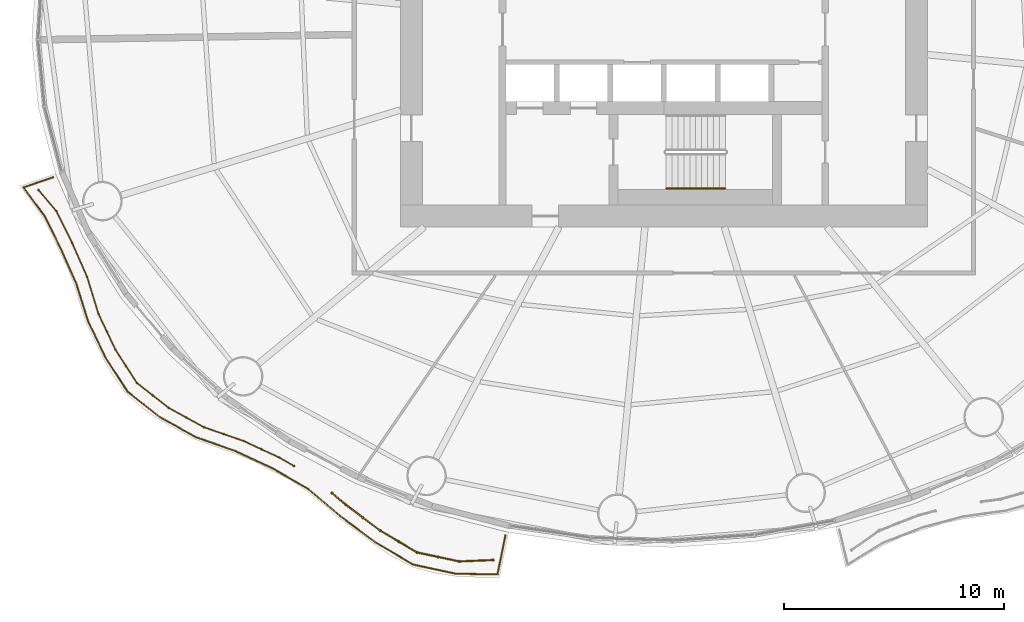
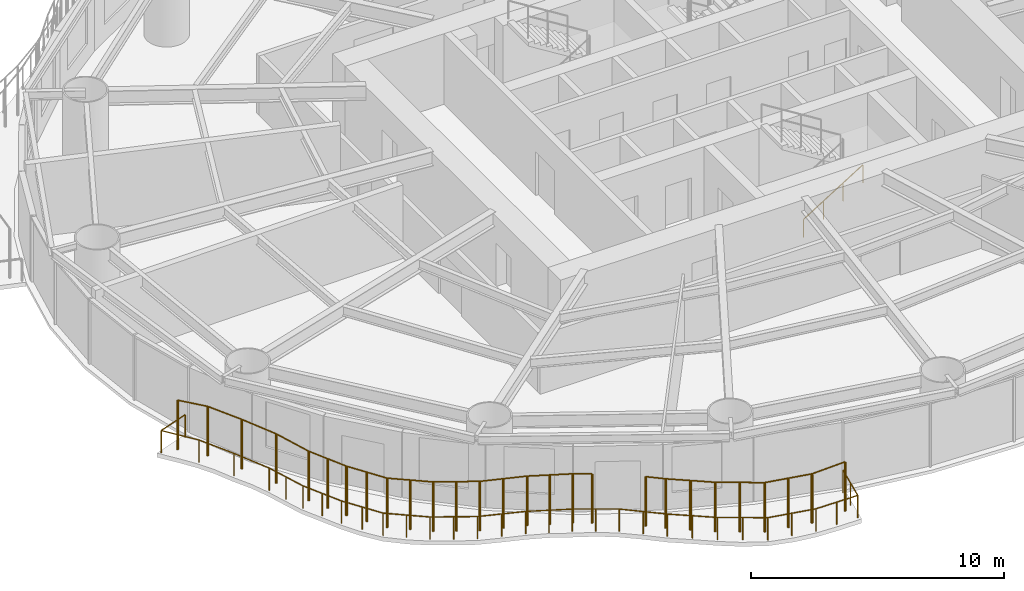
# One storey, part 12 of 17: 4 railings.
"""IFC4 building model written with IfcOpenShell, lengths in metres."""

import ifcopenshell
import ifcopenshell.guid

model = None  # the IFC model being written
_history = None  # IfcOwnerHistory: only IFC2X3 demands one
_inside = {}  # id of a spatial element -> (the spatial element, [elements in it])
_under = {}  # id of a project, library or spatial element -> (it, [spatial elements below it])
_declared = {}  # id of a project -> (the project, [libraries it declares])
_typed = {}  # id of a type object -> (the type object, [elements of that type])
_made_of = {}  # id of a material, layer set ... -> (it, [elements and type objects made of it])


def new_model(schema):
    """Start an empty IFC model of exactly this schema.

    Asked for "IFC4X3", IfcOpenShell would pick the latest addendum, in which some entities
    have other attributes; the version numbers below select the first issue.
    IFC2X3 requires an IfcOwnerHistory on every rooted entity: one is made here for all.
    """
    global model, _history
    if schema == "IFC4X3":
        model = ifcopenshell.file(schema_version=(4, 3, 0, 0))
    else:
        model = ifcopenshell.file(schema=schema)
    _inside.clear()
    _under.clear()
    _declared.clear()
    _typed.clear()
    _made_of.clear()
    _history = None
    if model.schema == "IFC2X3":
        org = make("IfcOrganization", Name="unknown")
        user = make(
            "IfcPersonAndOrganization",
            ThePerson=make("IfcPerson", FamilyName="unknown"),
            TheOrganization=org,
        )
        app = make(
            "IfcApplication",
            ApplicationDeveloper=org,
            Version="unknown",
            ApplicationFullName="unknown",
            ApplicationIdentifier="unknown",
        )
        _history = make(
            "IfcOwnerHistory",
            OwningUser=user,
            OwningApplication=app,
            ChangeAction="ADDED",
            CreationDate=0,
        )
    return model


def make(cls, **values):
    """One entity of the class cls with the attributes given. An attribute that is None is left unset."""
    return model.create_entity(
        cls, **{name: value for name, value in values.items() if value is not None}
    )


def rooted(cls, **values):
    """An entity with a GlobalId (a new one), such as an element, a storey or a relation."""
    return make(cls, GlobalId=ifcopenshell.guid.new(), OwnerHistory=_history, **values)


def si_unit(unit_type, name, prefix=None):
    """IfcSIUnit, for example si_unit("LENGTHUNIT", "METRE", prefix="MILLI")."""
    return make("IfcSIUnit", UnitType=unit_type, Prefix=prefix, Name=name)


def assignment(units):
    """IfcUnitAssignment: the units of a project."""
    return None if units is None else make("IfcUnitAssignment", Units=units)


def point(xyz):
    """IfcCartesianPoint."""
    return None if xyz is None else make("IfcCartesianPoint", Coordinates=xyz)


def direction(xyz):
    """IfcDirection."""
    return None if xyz is None else make("IfcDirection", DirectionRatios=xyz)


def frame(location, z_axis=None, x_axis=None):
    """IfcAxis2Placement3D, a coordinate frame: its origin and axes. An axis left out is left unset."""
    return make(
        "IfcAxis2Placement3D",
        Location=point(location),
        Axis=direction(z_axis),
        RefDirection=direction(x_axis),
    )


def frame_2d(location, x_axis=None):
    """IfcAxis2Placement2D, a coordinate frame in the plane: its origin and x axis."""
    return make(
        "IfcAxis2Placement2D", Location=point(location), RefDirection=direction(x_axis)
    )


def origin():
    """The frame at (0, 0, 0) with its axes left unset."""
    return frame((0.0, 0.0, 0.0))


def origin_2d():
    """The frame at (0, 0) in the plane with its x axis left unset."""
    return frame_2d((0.0, 0.0))


def place(relative_to, where):
    """IfcLocalPlacement: puts the frame where relative to a parent placement (None: the world)."""
    return make(
        "IfcLocalPlacement", PlacementRelTo=relative_to, RelativePlacement=where
    )


def context(
    kind, dimensions, precision=None, world=None, true_north=None, identifier=None
):
    """IfcGeometricRepresentationContext, for example the 3D "Model" context."""
    return make(
        "IfcGeometricRepresentationContext",
        ContextIdentifier=identifier,
        ContextType=kind,
        CoordinateSpaceDimension=dimensions,
        Precision=precision,
        WorldCoordinateSystem=world,
        TrueNorth=true_north,
    )


def subcontext(parent, identifier, kind, view, scale=None):
    """IfcGeometricRepresentationSubContext, for example "Body" below "Model"."""
    return make(
        "IfcGeometricRepresentationSubContext",
        ContextIdentifier=identifier,
        ContextType=kind,
        ParentContext=parent,
        TargetScale=scale,
        TargetView=view,
    )


def project(units=None, contexts=None):
    """IfcProject with its units and contexts."""
    return rooted(
        "IfcProject",
        Name="project",
        RepresentationContexts=contexts,
        UnitsInContext=assignment(units),
    )


def spatial(cls, under=None, at=None, **own):
    """A site, building, storey or space (cls), placed at a placement, below another one or the project."""
    s = rooted(cls, ObjectPlacement=at, **own)
    if under is not None:
        _under.setdefault(under.id(), (under, []))[1].append(s)
    return s


def profile(cls, at=None, kind="AREA", **sizes):
    """A parametric profile (cls). Its sizes go by their IFC names, for example OverallWidth=200.0."""
    return make(cls, ProfileType=kind, Position=at, **sizes)


def circle(**sizes):
    """IfcCircleProfileDef."""
    return profile("IfcCircleProfileDef", **sizes)


def extrude(swept, where, along, depth):
    """IfcExtrudedAreaSolid: the profile swept, set in the frame where, extruded along a direction by depth."""
    return make(
        "IfcExtrudedAreaSolid",
        SweptArea=swept,
        Position=where,
        ExtrudedDirection=direction(along),
        Depth=depth,
    )


def shape(context_of_items, identifier, shape_type, items):
    """IfcShapeRepresentation: the items that make up one representation, for example the "Body"."""
    return make(
        "IfcShapeRepresentation",
        ContextOfItems=context_of_items,
        RepresentationIdentifier=identifier,
        RepresentationType=shape_type,
        Items=items,
    )


def material(Name=None, Category=None):
    """IfcMaterial."""
    return make("IfcMaterial", Name=Name, Category=Category)


def made_of(thing, what):
    """Note that an element or type object is made of a material, layer set ...; save() writes the relation."""
    if what is not None:
        _made_of.setdefault(what.id(), (what, []))[1].append(thing)
    return thing


def type_object(cls, material=None, **own):
    """A type object (cls), such as IfcWallType, which elements share."""
    return made_of(rooted(cls, **own), material)


def element(
    cls,
    number,
    at=None,
    inside=None,
    cuts=None,
    type_object=None,
    material=None,
    context=None,
    identifier="Body",
    shape_type=None,
    held_by="IfcProductDefinitionShape",
    body=None,
    shapes=None,
    **own,
):
    """One element of the class cls, such as IfcWall. Its Tag is "e" and its number.

    at: its placement. inside: the storey or other place that contains it. cuts: it is an
    opening in that element (IfcRelVoidsElement). A single representation is given by context,
    identifier, shape_type and body (its items); several are given by shapes. held_by: the class
    of the entity that holds the representations. save() writes the other relations.
    """
    e = rooted(cls, Tag="e%d" % number, ObjectPlacement=at, **own)
    if body is not None:
        shapes = [shape(context, identifier, shape_type, body)]
    if shapes is not None:
        e.Representation = make(held_by, Representations=shapes)
    if inside is not None:
        _inside.setdefault(inside.id(), (inside, []))[1].append(e)
    if cuts is not None:
        rooted(
            "IfcRelVoidsElement", RelatingBuildingElement=cuts, RelatedOpeningElement=e
        )
    if type_object is not None:
        _typed.setdefault(type_object.id(), (type_object, []))[1].append(e)
    return made_of(e, material)


def aggregate(whole, parts):
    """IfcRelAggregates: a whole, such as a stair, and the parts it consists of."""
    return rooted("IfcRelAggregates", RelatingObject=whole, RelatedObjects=parts)


def save(model, path):
    """Write the relations noted so far, then the file.

    IfcRelAggregates (storeys below a building ...), IfcRelContainedInSpatialStructure (elements
    in a storey), IfcRelDefinesByType, IfcRelAssociatesMaterial and IfcRelDeclares: one each for
    every whole, place, type object, material and project.
    """
    for whole, parts in _under.values():
        aggregate(whole, parts)
    for where, things in _inside.values():
        rooted(
            "IfcRelContainedInSpatialStructure",
            RelatedElements=things,
            RelatingStructure=where,
        )
    for kind, things in _typed.values():
        rooted("IfcRelDefinesByType", RelatedObjects=things, RelatingType=kind)
    for what, things in _made_of.values():
        rooted("IfcRelAssociatesMaterial", RelatedObjects=things, RelatingMaterial=what)
    for by, libraries in _declared.values():
        rooted("IfcRelDeclares", RelatingContext=by, RelatedDefinitions=libraries)
    model.write(path)


model = new_model("IFC4")

# Units and contexts
model_context = context("Model", 3, precision=1e-05, world=origin(), true_north=direction((0.0, 1.0)))
body_context = subcontext(model_context, "Body", "Model", "MODEL_VIEW")
ifc_project = project(units=[si_unit("LENGTHUNIT", "METRE"), si_unit("AREAUNIT", "SQUARE_METRE"), si_unit("VOLUMEUNIT", "CUBIC_METRE"), si_unit("PLANEANGLEUNIT", "RADIAN"), si_unit("MASSUNIT", "GRAM", prefix="KILO")], contexts=[model_context])

# Site, building, storey
site_placement = place(None, origin())
site = spatial("IfcSite", under=ifc_project, at=site_placement, CompositionType="ELEMENT")
building_placement = place(site_placement, origin())
building = spatial("IfcBuilding", under=site, at=building_placement, Name="Vermilion Reach Broadcast Tower", CompositionType="ELEMENT")
storey_placement = place(building_placement, frame((0.0, 0.0, 39.699951171875)))
storey = spatial("IfcBuildingStorey", under=building, at=storey_placement, Name="L06", CompositionType="ELEMENT", Elevation=39.699951171875)

# Railings
ifc_material_1 = material(Name="Terracotta baguette", Category="masonry")
railing_type_1 = type_object("IfcRailingType", Name="BAGUETTE SCREEN", PredefinedType="USERDEFINED", material=ifc_material_1)
railing_1_placement = place(storey_placement, frame((-34.488037109375, -7.315673828125, 0.0)))
element("IfcRailing", 1, at=railing_1_placement, inside=storey, type_object=railing_type_1, Name="Baguette screen L06 group 3 part 1", ObjectType="BAGUETTE SCREEN", PredefinedType="USERDEFINED", context=body_context, shape_type="SweptSolid", body=[
    extrude(circle(Radius=0.030029296875, at=origin_2d()), frame((0.0, 0.0, 2.369873046875), z_axis=(0.645396361346, -0.763847849222, 0.0), x_axis=(0.763847849222, 0.645396361346, 0.0)), (0.0, 0.0, 1.0), 1.263427734375),
    extrude(circle(Radius=0.030029296875, at=origin_2d()), frame((0.8154296875, -0.965087890625, 2.369873046875), z_axis=(0.443967605312, -0.896042836829, 0.0), x_axis=(0.896042836829, 0.443967605312, 0.0)), (0.0, 0.0, 1.0), 1.6259765625),
    extrude(circle(Radius=0.030029296875, at=origin_2d()), frame((1.537353515625, -2.422119140625, 2.369873046875), z_axis=(0.404135481353, -0.914699137811, 0.0), x_axis=(0.914699137811, 0.404135481353, 0.0)), (0.0, 0.0, 1.0), 1.674560546875),
    extrude(circle(Radius=0.030029296875, at=origin_2d()), frame((2.214111328125, -3.953857421875, 2.369873046875), z_axis=(0.292685881, -0.956208646198, 0.0), x_axis=(0.956208646198, 0.292685881, 0.0)), (0.0, 0.0, 1.0), 1.76513671875),
    extrude(circle(Radius=0.030029296875, at=origin_2d()), frame((2.730712890625, -5.6416015625, 2.369873046875), z_axis=(0.428725743109, -0.903434688949, 0.0), x_axis=(0.903434688949, 0.428725743109, 0.0)), (0.0, 0.0, 1.0), 1.80517578125),
    extrude(circle(Radius=0.030029296875, at=origin_2d()), frame((3.504638671875, -7.2724609375, 2.369873046875), z_axis=(0.541660925224, -0.840597074754, 0.0), x_axis=(0.840597074754, 0.541660925224, 0.0)), (0.0, 0.0, 1.0), 1.802490234375),
    extrude(circle(Radius=0.030029296875, at=origin_2d()), frame((4.48095703125, -8.78759765625, 2.369873046875), z_axis=(0.786774914917, -0.617240012683, 0.0), x_axis=(0.617240012683, 0.786774914917, 0.0)), (0.0, 0.0, 1.0), 1.836181640625),
    extrude(circle(Radius=0.030029296875, at=origin_2d()), frame((5.925537109375, -9.9208984375, 2.369873046875), z_axis=(0.876414861555, -0.481556840306, 0.0), x_axis=(0.481556840306, 0.876414861555, 0.0)), (0.0, 0.0, 1.0), 1.8388671875),
    extrude(circle(Radius=0.030029296875, at=origin_2d()), frame((7.537109375, -10.806396484375, 2.369873046875), z_axis=(0.944992170994, -0.327092948196, 0.0), x_axis=(0.327092948196, 0.944992170994, 0.0)), (0.0, 0.0, 1.0), 1.904052734375),
    extrude(circle(Radius=0.030029296875, at=origin_2d()), frame((9.33642578125, -11.42919921875, 2.369873046875), z_axis=(0.90690380184, -0.421337743631, 0.0), x_axis=(0.421337743631, 0.90690380184, 0.0)), (0.0, 0.0, 1.0), 1.805419921875),
    extrude(circle(Radius=0.030029296875, at=origin_2d()), frame((10.973876953125, -12.18994140625, 2.369873046875), z_axis=(0.866680519321, -0.498863585993, 0.0), x_axis=(0.498863585993, 0.866680519321, 0.0)), (0.0, 0.0, 1.0), 0.771240234375),
    extrude(circle(Radius=0.050048828125, at=origin_2d()), origin(), (0.0, 0.0, 1.0), 2.33984375),
    extrude(circle(Radius=0.050048828125, at=origin_2d()), frame((0.8154296875, -0.965087890625, 0.0)), (0.0, 0.0, 1.0), 2.33984375),
    extrude(circle(Radius=0.050048828125, at=origin_2d()), frame((1.537353515625, -2.422119140625, 0.0)), (0.0, 0.0, 1.0), 2.33984375),
    extrude(circle(Radius=0.050048828125, at=origin_2d()), frame((2.214111328125, -3.953857421875, 0.0)), (0.0, 0.0, 1.0), 2.33984375),
    extrude(circle(Radius=0.050048828125, at=origin_2d()), frame((2.730712890625, -5.6416015625, 0.0)), (0.0, 0.0, 1.0), 2.33984375),
    extrude(circle(Radius=0.050048828125, at=origin_2d()), frame((3.11767578125, -6.45703125, 0.0)), (0.0, 0.0, 1.0), 2.33984375),
    extrude(circle(Radius=0.050048828125, at=origin_2d()), frame((3.504638671875, -7.2724609375, 0.0)), (0.0, 0.0, 1.0), 2.33984375),
    extrude(circle(Radius=0.050048828125, at=origin_2d()), frame((3.99267578125, -8.030029296875, 0.0)), (0.0, 0.0, 1.0), 2.33984375),
    extrude(circle(Radius=0.050048828125, at=origin_2d()), frame((4.48095703125, -8.78759765625, 0.0)), (0.0, 0.0, 1.0), 2.33984375),
    extrude(circle(Radius=0.050048828125, at=origin_2d()), frame((5.203125, -9.354248046875, 0.0)), (0.0, 0.0, 1.0), 2.33984375),
    extrude(circle(Radius=0.050048828125, at=origin_2d()), frame((5.925537109375, -9.9208984375, 0.0)), (0.0, 0.0, 1.0), 2.33984375),
    extrude(circle(Radius=0.050048828125, at=origin_2d()), frame((6.7314453125, -10.36376953125, 0.0)), (0.0, 0.0, 1.0), 2.33984375),
    extrude(circle(Radius=0.050048828125, at=origin_2d()), frame((7.537109375, -10.806396484375, 0.0)), (0.0, 0.0, 1.0), 2.33984375),
    extrude(circle(Radius=0.050048828125, at=origin_2d()), frame((8.436767578125, -11.11767578125, 0.0)), (0.0, 0.0, 1.0), 2.33984375),
    extrude(circle(Radius=0.050048828125, at=origin_2d()), frame((9.33642578125, -11.42919921875, 0.0)), (0.0, 0.0, 1.0), 2.33984375),
    extrude(circle(Radius=0.050048828125, at=origin_2d()), frame((10.1552734375, -11.8095703125, 0.0)), (0.0, 0.0, 1.0), 2.33984375),
    extrude(circle(Radius=0.050048828125, at=origin_2d()), frame((10.973876953125, -12.18994140625, 0.0)), (0.0, 0.0, 1.0), 2.33984375),
    extrude(circle(Radius=0.050048828125, at=origin_2d()), frame((11.642333984375, -12.57470703125, 0.0)), (0.0, 0.0, 1.0), 2.33984375),
])
railing_2_placement = place(storey_placement, frame((-21.1171875, -21.115478515625, 0.0)))
element("IfcRailing", 2, at=railing_2_placement, inside=storey, type_object=railing_type_1, Name="Baguette screen L06 group 3 part 2", ObjectType="BAGUETTE SCREEN", PredefinedType="USERDEFINED", context=body_context, shape_type="SweptSolid", body=[
    extrude(circle(Radius=0.030029296875, at=origin_2d()), frame((0.0, 0.0, 2.369873046875), z_axis=(0.759467208762, -0.650545585501, 0.0), x_axis=(0.650545585501, 0.759467208762, 0.0)), (0.0, 0.0, 1.0), 0.818115234375),
    extrude(circle(Radius=0.030029296875, at=origin_2d()), frame((0.621337890625, -0.5322265625, 2.369873046875), z_axis=(0.799356566388, -0.600856954501, 0.0), x_axis=(0.600856954501, 0.799356566388, 0.0)), (0.0, 0.0, 1.0), 1.959228515625),
    extrude(circle(Radius=0.030029296875, at=origin_2d()), frame((2.1875, -1.70947265625, 2.369873046875), z_axis=(0.859979550924, -0.5103284942, 0.0), x_axis=(0.5103284942, 0.859979550924, 0.0)), (0.0, 0.0, 1.0), 1.95849609375),
    extrude(circle(Radius=0.030029296875, at=origin_2d()), frame((3.871826171875, -2.708984375, 2.369873046875), z_axis=(0.977824261073, -0.209427110128, 0.0), x_axis=(0.209427110128, 0.977824261073, 0.0)), (0.0, 0.0, 1.0), 1.9619140625),
    extrude(circle(Radius=0.030029296875, at=origin_2d()), frame((5.790283203125, -3.119873046875, 2.369873046875), z_axis=(0.999155654829, 0.041085002413, 0.0), x_axis=(-0.041085002413, 0.999155654829, 0.0)), (0.0, 0.0, 1.0), 1.544921875),
    extrude(circle(Radius=0.050048828125, at=origin_2d()), origin(), (0.0, 0.0, 1.0), 2.33984375),
    extrude(circle(Radius=0.050048828125, at=origin_2d()), frame((0.621337890625, -0.5322265625, 0.0)), (0.0, 0.0, 1.0), 2.33984375),
    extrude(circle(Radius=0.050048828125, at=origin_2d()), frame((1.404296875, -1.120849609375, 0.0)), (0.0, 0.0, 1.0), 2.33984375),
    extrude(circle(Radius=0.050048828125, at=origin_2d()), frame((2.1875, -1.70947265625, 0.0)), (0.0, 0.0, 1.0), 2.33984375),
    extrude(circle(Radius=0.050048828125, at=origin_2d()), frame((3.02978515625, -2.209228515625, 0.0)), (0.0, 0.0, 1.0), 2.33984375),
    extrude(circle(Radius=0.050048828125, at=origin_2d()), frame((3.871826171875, -2.708984375, 0.0)), (0.0, 0.0, 1.0), 2.33984375),
    extrude(circle(Radius=0.050048828125, at=origin_2d()), frame((4.8310546875, -2.91455078125, 0.0)), (0.0, 0.0, 1.0), 2.33984375),
    extrude(circle(Radius=0.050048828125, at=origin_2d()), frame((5.790283203125, -3.119873046875, 0.0)), (0.0, 0.0, 1.0), 2.33984375),
    extrude(circle(Radius=0.050048828125, at=origin_2d()), frame((7.333984375, -3.056396484375, 0.0)), (0.0, 0.0, 1.0), 2.33984375),
])
ifc_material_2 = material(Name="Stainless steel 316 balustrade", Category="steel")
railing_type_2 = type_object("IfcRailingType", Name="Balcony guard 1100", PredefinedType="BALUSTRADE", material=ifc_material_2)
railing_3_placement = place(storey_placement, frame((-33.805908203125, -6.732177734375, 0.0)))
element("IfcRailing", 3, at=railing_3_placement, inside=storey, type_object=railing_type_2, Name="Balcony guard L06 group 3", PredefinedType="BALUSTRADE", context=body_context, shape_type="SweptSolid", body=[
    extrude(circle(Radius=0.02490234375, at=origin_2d()), frame((0.0, 0.0, 1.0751953125), z_axis=(-0.945344161395, -0.326074250004, 0.0), x_axis=(0.326074250004, -0.945344161395, 0.0)), (0.0, 0.0, 1.0), 1.4404296875),
    extrude(circle(Radius=0.02490234375, at=origin_2d()), frame((-1.36181640625, -0.4697265625, 1.0751953125), z_axis=(0.592404784026, -0.805640473079, 0.0), x_axis=(0.805640473079, 0.592404784026, 0.0)), (0.0, 0.0, 1.0), 1.625732421875),
    extrude(circle(Radius=0.02490234375, at=origin_2d()), frame((-0.398681640625, -1.779541015625, 1.0751953125), z_axis=(0.443641014114, -0.896204580771, 0.0), x_axis=(0.896204580771, 0.443641014114, 0.0)), (0.0, 0.0, 1.0), 1.669189453125),
    extrude(circle(Radius=0.02490234375, at=origin_2d()), frame((0.341796875, -3.275390625, 1.0751953125), z_axis=(0.40650769228, -0.913647358732, 0.0), x_axis=(0.913647358732, 0.40650769228, 0.0)), (0.0, 0.0, 1.0), 1.7177734375),
    extrude(circle(Radius=0.02490234375, at=origin_2d()), frame((1.0400390625, -4.8447265625, 1.0751953125), z_axis=(0.299129955524, -0.954212381867, 0.0), x_axis=(0.954212381867, 0.299129955524, 0.0)), (0.0, 0.0, 1.0), 1.804443359375),
    extrude(circle(Radius=0.02490234375, at=origin_2d()), frame((1.579833984375, -6.566650390625, 1.0751953125), z_axis=(0.433135307962, -0.901328910552, 0.0), x_axis=(0.901328910552, 0.433135307962, 0.0)), (0.0, 0.0, 1.0), 1.845458984375),
    extrude(circle(Radius=0.02490234375, at=origin_2d()), frame((2.379150390625, -8.22998046875, 1.0751953125), z_axis=(0.54459211819, -0.838701034222, 0.0), x_axis=(0.838701034222, 0.54459211819, 0.0)), (0.0, 0.0, 1.0), 1.841064453125),
    extrude(circle(Radius=0.02490234375, at=origin_2d()), frame((3.3818359375, -9.774169921875, 1.0751953125), z_axis=(0.785459061964, -0.61891361431, 0.0), x_axis=(0.61891361431, 0.785459061964, 0.0)), (0.0, 0.0, 1.0), 1.875),
    extrude(circle(Radius=0.02490234375, at=origin_2d()), frame((4.8544921875, -10.9345703125, 1.0751953125), z_axis=(0.874500909702, -0.485023874598, 0.0), x_axis=(0.485023874598, 0.874500909702, 0.0)), (0.0, 0.0, 1.0), 1.87548828125),
    extrude(circle(Radius=0.02490234375, at=origin_2d()), frame((6.49462890625, -11.84423828125, 1.0751953125), z_axis=(0.943078608706, -0.332569899119, 0.0), x_axis=(0.332569899119, 0.943078608706, 0.0)), (0.0, 0.0, 1.0), 1.939453125),
    extrude(circle(Radius=0.02490234375, at=origin_2d()), frame((8.32373046875, -12.4892578125, 1.0751953125), z_axis=(0.905718395136, -0.423879922515, 0.0), x_axis=(0.423879922515, 0.905718395136, 0.0)), (0.0, 0.0, 1.0), 1.8408203125),
    extrude(circle(Radius=0.02490234375, at=origin_2d()), frame((9.990966796875, -13.26953125, 1.0751953125), z_axis=(0.866823922541, -0.498614367333, 0.0), x_axis=(0.498614367333, 0.866823922541, 0.0)), (0.0, 0.0, 1.0), 1.857177734375),
    extrude(circle(Radius=0.02490234375, at=origin_2d()), frame((11.600830078125, -14.195556640625, 1.0751953125), z_axis=(0.762189172377, -0.647354358532, 0.0), x_axis=(0.647354358532, 0.762189172377, 0.0)), (0.0, 0.0, 1.0), 1.92822265625),
    extrude(circle(Radius=0.02490234375, at=origin_2d()), frame((13.070556640625, -15.44384765625, 1.0751953125), z_axis=(0.801834472128, -0.597546215206, 0.0), x_axis=(0.597546215206, 0.801834472128, 0.0)), (0.0, 0.0, 1.0), 1.9921875),
    extrude(circle(Radius=0.02490234375, at=origin_2d()), frame((14.66796875, -16.63427734375, 1.0751953125), z_axis=(0.861631372442, -0.50753460771, 0.0), x_axis=(0.50753460771, 0.861631372442, 0.0)), (0.0, 0.0, 1.0), 1.990478515625),
    extrude(circle(Radius=0.02490234375, at=origin_2d()), frame((16.383056640625, -17.64453125, 1.0751953125), z_axis=(0.977588757377, -0.210523683822, 0.0), x_axis=(0.210523683822, 0.977588757377, 0.0)), (0.0, 0.0, 1.0), 1.99462890625),
    extrude(circle(Radius=0.02490234375, at=origin_2d()), frame((18.3330078125, -18.064453125, 1.0751953125), z_axis=(0.999901313179, -0.014048626339, 0.0), x_axis=(0.014048626339, 0.999901313179, 0.0)), (0.0, 0.0, 1.0), 1.894287109375),
    extrude(circle(Radius=0.02490234375, at=origin_2d()), frame((20.22705078125, -18.091064453125, 1.0751953125), z_axis=(0.198327389401, 0.980135830696, 0.0), x_axis=(-0.980135830696, 0.198327389401, 0.0)), (0.0, 0.0, 1.0), 1.82568359375),
    extrude(circle(Radius=0.02490234375, at=origin_2d()), origin(), (0.0, 0.0, 1.0), 1.050048828125),
    extrude(circle(Radius=0.02490234375, at=origin_2d()), frame((-1.36181640625, -0.4697265625, 0.0)), (0.0, 0.0, 1.0), 1.050048828125),
    extrude(circle(Radius=0.02490234375, at=origin_2d()), frame((-0.398681640625, -1.779541015625, 0.0)), (0.0, 0.0, 1.0), 1.050048828125),
    extrude(circle(Radius=0.02490234375, at=origin_2d()), frame((0.341796875, -3.275390625, 0.0)), (0.0, 0.0, 1.0), 1.050048828125),
    extrude(circle(Radius=0.02490234375, at=origin_2d()), frame((1.0400390625, -4.8447265625, 0.0)), (0.0, 0.0, 1.0), 1.050048828125),
    extrude(circle(Radius=0.02490234375, at=origin_2d()), frame((1.31005859375, -5.70556640625, 0.0)), (0.0, 0.0, 1.0), 1.050048828125),
    extrude(circle(Radius=0.02490234375, at=origin_2d()), frame((1.579833984375, -6.566650390625, 0.0)), (0.0, 0.0, 1.0), 1.050048828125),
    extrude(circle(Radius=0.02490234375, at=origin_2d()), frame((1.9794921875, -7.3984375, 0.0)), (0.0, 0.0, 1.0), 1.050048828125),
    extrude(circle(Radius=0.02490234375, at=origin_2d()), frame((2.379150390625, -8.22998046875, 0.0)), (0.0, 0.0, 1.0), 1.050048828125),
    extrude(circle(Radius=0.02490234375, at=origin_2d()), frame((2.88037109375, -9.001953125, 0.0)), (0.0, 0.0, 1.0), 1.050048828125),
    extrude(circle(Radius=0.02490234375, at=origin_2d()), frame((3.3818359375, -9.774169921875, 0.0)), (0.0, 0.0, 1.0), 1.050048828125),
    extrude(circle(Radius=0.02490234375, at=origin_2d()), frame((4.1181640625, -10.3544921875, 0.0)), (0.0, 0.0, 1.0), 1.050048828125),
    extrude(circle(Radius=0.02490234375, at=origin_2d()), frame((4.8544921875, -10.9345703125, 0.0)), (0.0, 0.0, 1.0), 1.050048828125),
    extrude(circle(Radius=0.02490234375, at=origin_2d()), frame((5.674560546875, -11.389404296875, 0.0)), (0.0, 0.0, 1.0), 1.050048828125),
    extrude(circle(Radius=0.02490234375, at=origin_2d()), frame((6.49462890625, -11.84423828125, 0.0)), (0.0, 0.0, 1.0), 1.050048828125),
    extrude(circle(Radius=0.02490234375, at=origin_2d()), frame((7.4091796875, -12.166748046875, 0.0)), (0.0, 0.0, 1.0), 1.050048828125),
    extrude(circle(Radius=0.02490234375, at=origin_2d()), frame((8.32373046875, -12.4892578125, 0.0)), (0.0, 0.0, 1.0), 1.050048828125),
    extrude(circle(Radius=0.02490234375, at=origin_2d()), frame((9.1572265625, -12.87939453125, 0.0)), (0.0, 0.0, 1.0), 1.050048828125),
    extrude(circle(Radius=0.02490234375, at=origin_2d()), frame((9.990966796875, -13.26953125, 0.0)), (0.0, 0.0, 1.0), 1.050048828125),
    extrude(circle(Radius=0.02490234375, at=origin_2d()), frame((10.7958984375, -13.732421875, 0.0)), (0.0, 0.0, 1.0), 1.050048828125),
    extrude(circle(Radius=0.02490234375, at=origin_2d()), frame((11.600830078125, -14.195556640625, 0.0)), (0.0, 0.0, 1.0), 1.050048828125),
    extrude(circle(Radius=0.02490234375, at=origin_2d()), frame((12.335693359375, -14.81982421875, 0.0)), (0.0, 0.0, 1.0), 1.050048828125),
    extrude(circle(Radius=0.02490234375, at=origin_2d()), frame((13.070556640625, -15.44384765625, 0.0)), (0.0, 0.0, 1.0), 1.050048828125),
    extrude(circle(Radius=0.02490234375, at=origin_2d()), frame((13.869140625, -16.0390625, 0.0)), (0.0, 0.0, 1.0), 1.050048828125),
    extrude(circle(Radius=0.02490234375, at=origin_2d()), frame((14.66796875, -16.63427734375, 0.0)), (0.0, 0.0, 1.0), 1.050048828125),
    extrude(circle(Radius=0.02490234375, at=origin_2d()), frame((15.525390625, -17.139404296875, 0.0)), (0.0, 0.0, 1.0), 1.050048828125),
    extrude(circle(Radius=0.02490234375, at=origin_2d()), frame((16.383056640625, -17.64453125, 0.0)), (0.0, 0.0, 1.0), 1.050048828125),
    extrude(circle(Radius=0.02490234375, at=origin_2d()), frame((17.35791015625, -17.8544921875, 0.0)), (0.0, 0.0, 1.0), 1.050048828125),
    extrude(circle(Radius=0.02490234375, at=origin_2d()), frame((18.3330078125, -18.064453125, 0.0)), (0.0, 0.0, 1.0), 1.050048828125),
    extrude(circle(Radius=0.02490234375, at=origin_2d()), frame((19.280029296875, -18.07763671875, 0.0)), (0.0, 0.0, 1.0), 1.050048828125),
    extrude(circle(Radius=0.02490234375, at=origin_2d()), frame((20.22705078125, -18.091064453125, 0.0)), (0.0, 0.0, 1.0), 1.050048828125),
    extrude(circle(Radius=0.02490234375, at=origin_2d()), frame((20.408203125, -17.1962890625, 0.0)), (0.0, 0.0, 1.0), 1.050048828125),
    extrude(circle(Radius=0.02490234375, at=origin_2d()), frame((20.589111328125, -16.3017578125, 0.0)), (0.0, 0.0, 1.0), 1.050048828125),
])
ifc_material_3 = material(Name="Stainless steel", Category="steel")
railing_type_3 = type_object("IfcRailingType", Name="Stair handrail", PredefinedType="HANDRAIL", material=ifc_material_3)
railing_4_placement = place(storey_placement, frame((-5.89990234375, -7.25, 0.168212890625)))
element("IfcRailing", 4, at=railing_4_placement, inside=storey, type_object=railing_type_3, Name="L06 ST3 stair handrail 1", PredefinedType="HANDRAIL", context=body_context, shape_type="SweptSolid", body=[
    extrude(circle(Radius=0.02392578125, at=origin_2d()), frame((0.0, 0.0, 0.8759765625), z_axis=(0.848786430784, 0.0, 0.528735846068), x_axis=(0.0, 1.0, 0.0)), (0.0, 0.0, 1.0), 3.180908203125),
    extrude(circle(Radius=0.02099609375, at=origin_2d()), origin(), (0.0, 0.0, 1.0), 0.851806640625),
    extrude(circle(Radius=0.02099609375, at=origin_2d()), frame((0.89990234375, 0.0, 0.560546875)), (0.0, 0.0, 1.0), 0.851806640625),
    extrude(circle(Radius=0.02099609375, at=origin_2d()), frame((1.800048828125, 0.0, 1.121337890625)), (0.0, 0.0, 1.0), 0.851806640625),
    extrude(circle(Radius=0.02099609375, at=origin_2d()), frame((2.699951171875, 0.0, 1.681884765625)), (0.0, 0.0, 1.0), 0.851806640625),
])

save(model, "model.ifc")
